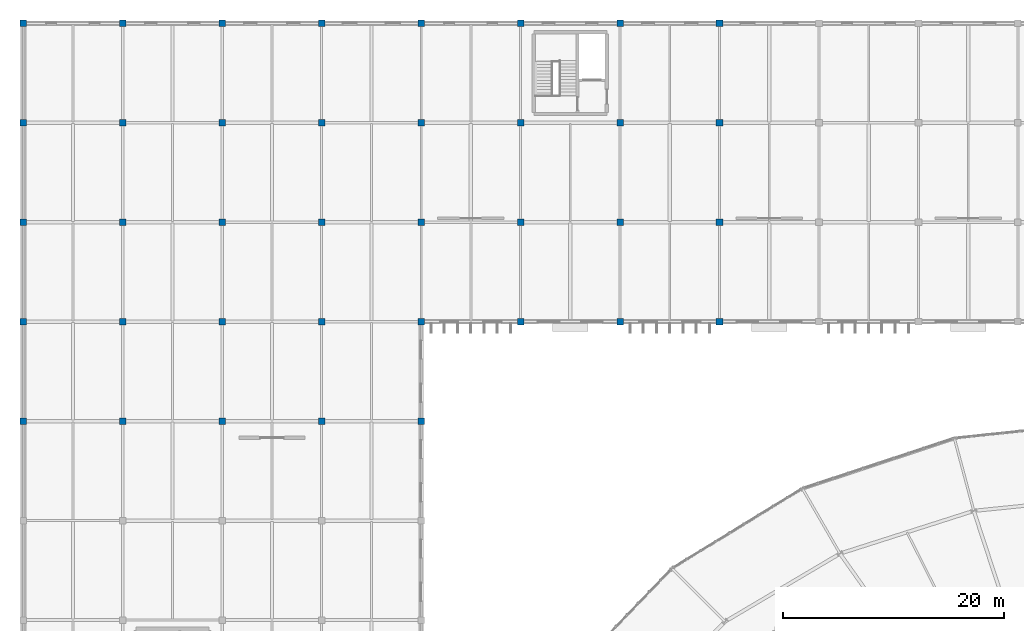
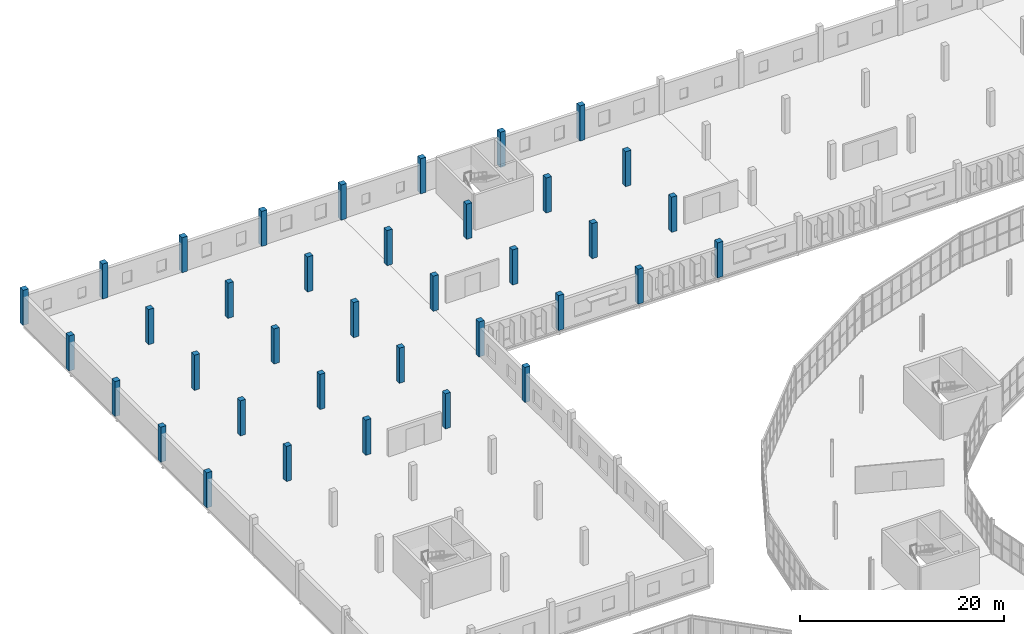
# One storey, part 29 of 161: 37 columns.
"""IFC4 building model written with IfcOpenShell, lengths in metres."""

from ifc_helpers import new_model, si_unit, direction, frame, origin, origin_2d, place, context, subcontext, project, spatial, rectangle, extrude, material, material_profile, profile_set, type_object, element, save


model = new_model("IFC4")

# Units and contexts
model_context = context("Model", 3, precision=1e-05, world=origin(), true_north=direction((0.0, 1.0)))
body_context = subcontext(model_context, "Body", "Model", "MODEL_VIEW")
ifc_project = project(units=[si_unit("LENGTHUNIT", "METRE"), si_unit("AREAUNIT", "SQUARE_METRE"), si_unit("VOLUMEUNIT", "CUBIC_METRE"), si_unit("PLANEANGLEUNIT", "RADIAN"), si_unit("MASSUNIT", "GRAM", prefix="KILO")], contexts=[model_context])

# Site, building, storey
site_placement = place(None, origin())
site = spatial("IfcSite", under=ifc_project, at=site_placement, CompositionType="ELEMENT")
building_placement = place(site_placement, origin())
building = spatial("IfcBuilding", under=site, at=building_placement, Name="Kildeholm Park Wholesale Market", CompositionType="ELEMENT")
storey_placement = place(building_placement, frame((0.0, 0.0, 5.39990234375)))
storey = spatial("IfcBuildingStorey", under=building, at=storey_placement, Name="L01", CompositionType="ELEMENT", Elevation=5.39990234375)

# Columns
ifc_material = material(Name="Concrete C40/50", Category="concrete")
ifc_material_profile = material_profile(ifc_material, rectangle(XDim=0.60009765625, YDim=0.60009765625, at=origin_2d()), Name="RC 600x600")
ifc_profile_set = profile_set([ifc_material_profile], Name="Concrete C40/50")
column_type = type_object("IfcColumnType", Name="Column C-R02 RC 600x600", PredefinedType="COLUMN", material=ifc_profile_set)
for number, where, z_axis, x_axis, name in (
    (1, (0.0, 135.0, 0.0), (0.0, 0.0, 1.0), (1.0, 0.0, 0.0), "Column V4-000-135 L01 COL-0342"),
    (2, (0.0, 144.0, 0.0), (0.0, 0.0, 1.0), (1.0, 0.0, 0.0), "Column V4-000-144 L01 COL-0345"),
    (3, (0.0, 153.0, 0.0), (0.0, 0.0, 1.0), (1.0, 0.0, 0.0), "Column V4-000-153 L01 COL-0348"),
    (4, (0.0, 162.0, 0.0), (0.0, 0.0, 1.0), (1.0, 0.0, 0.0), "Column V4-000-162 L01 COL-0351"),
    (5, (0.0, 171.0, 0.0), (0.0, 0.0, 1.0), (1.0, 0.0, 0.0), "Column V4-000-171 L01 COL-0354"),
    (6, (9.0, 135.0, 0.0), (0.0, 0.0, 1.0), (1.0, 0.0, 0.0), "Column V4-009-135 L01 COL-0369"),
    (7, (9.0, 144.0, 0.0), (0.0, 0.0, 1.0), (1.0, 0.0, 0.0), "Column V4-009-144 L01 COL-0372"),
    (8, (9.0, 153.0, 0.0), (0.0, 0.0, 1.0), (1.0, 0.0, 0.0), "Column V4-009-153 L01 COL-0375"),
    (9, (9.0, 162.0, 0.0), (0.0, 0.0, 1.0), (1.0, 0.0, 0.0), "Column V4-009-162 L01 COL-0378"),
    (10, (9.0, 171.0, 0.0), (0.0, 0.0, 1.0), (1.0, 0.0, 0.0), "Column V4-009-171 L01 COL-0381"),
    (11, (18.0, 135.0, 0.0), (0.0, 0.0, 1.0), (1.0, 0.0, 0.0), "Column V4-018-135 L01 COL-0396"),
    (12, (18.0, 144.0, 0.0), (0.0, 0.0, 1.0), (1.0, 0.0, 0.0), "Column V4-018-144 L01 COL-0399"),
    (13, (18.0, 153.0, 0.0), (0.0, 0.0, 1.0), (1.0, 0.0, 0.0), "Column V4-018-153 L01 COL-0402"),
    (14, (18.0, 162.0, 0.0), (0.0, 0.0, 1.0), (1.0, 0.0, 0.0), "Column V4-018-162 L01 COL-0405"),
    (15, (18.0, 171.0, 0.0), (0.0, 0.0, 1.0), (1.0, 0.0, 0.0), "Column V4-018-171 L01 COL-0408"),
    (16, (27.0, 135.0, 0.0), (0.0, 0.0, 1.0), (1.0, 0.0, 0.0), "Column V4-027-135 L01 COL-0423"),
    (17, (27.0, 144.0, 0.0), (0.0, 0.0, 1.0), (1.0, 0.0, 0.0), "Column V4-027-144 L01 COL-0426"),
    (18, (27.0, 153.0, 0.0), (0.0, 0.0, 1.0), (1.0, 0.0, 0.0), "Column V4-027-153 L01 COL-0429"),
    (19, (27.0, 162.0, 0.0), (0.0, 0.0, 1.0), (1.0, 0.0, 0.0), "Column V4-027-162 L01 COL-0432"),
    (20, (27.0, 171.0, 0.0), (0.0, 0.0, 1.0), (1.0, 0.0, 0.0), "Column V4-027-171 L01 COL-0435"),
    (21, (36.0, 135.0, 0.0), (0.0, 0.0, 1.0), (1.0, 0.0, 0.0), "Column V4-036-135 L01 COL-0450"),
    (22, (36.0, 144.0, 0.0), (0.0, 0.0, 1.0), (1.0, 0.0, 0.0), "Column V4-036-144 L01 COL-0453"),
    (23, (36.0, 153.0, 0.0), (0.0, 0.0, 1.0), (1.0, 0.0, 0.0), "Column V4-036-153 L01 COL-0456"),
    (24, (36.0, 162.0, 0.0), (0.0, 0.0, 1.0), (1.0, 0.0, 0.0), "Column V4-036-162 L01 COL-0459"),
    (25, (36.0, 171.0, 0.0), (0.0, 0.0, 1.0), (1.0, 0.0, 0.0), "Column V4-036-171 L01 COL-0462"),
    (26, (45.0, 144.0, 0.0), (0.0, 0.0, 1.0), (1.0, 0.0, 0.0), "Column V4-045-144 L01 COL-0465"),
    (27, (45.0, 153.0, 0.0), (0.0, 0.0, 1.0), (1.0, 0.0, 0.0), "Column V4-045-153 L01 COL-0467"),
    (28, (45.0, 162.0, 0.0), (0.0, 0.0, 1.0), (1.0, 0.0, 0.0), "Column V4-045-162 L01 COL-0470"),
    (29, (45.0, 171.0, 0.0), (0.0, 0.0, 1.0), (1.0, 0.0, 0.0), "Column V4-045-171 L01 COL-0473"),
    (30, (54.0, 144.0, 0.0), (0.0, 0.0, 1.0), (1.0, 0.0, 0.0), "Column V4-054-144 L01 COL-0476"),
    (31, (54.0, 153.0, 0.0), (0.0, 0.0, 1.0), (1.0, 0.0, 0.0), "Column V4-054-153 L01 COL-0478"),
    (32, (54.0, 162.0, 0.0), (0.0, 0.0, 1.0), (1.0, 0.0, 0.0), "Column V4-054-162 L01 COL-0481"),
    (33, (54.0, 171.0, 0.0), (0.0, 0.0, 1.0), (1.0, 0.0, 0.0), "Column V4-054-171 L01 COL-0484"),
    (34, (63.0, 144.0, 0.0), (0.0, 0.0, 1.0), (1.0, 0.0, 0.0), "Column V4-063-144 L01 COL-0487"),
    (35, (63.0, 153.0, 0.0), (0.0, 0.0, 1.0), (1.0, 0.0, 0.0), "Column V4-063-153 L01 COL-0489"),
    (36, (63.0, 162.0, 0.0), (0.0, 0.0, 1.0), (1.0, 0.0, 0.0), "Column V4-063-162 L01 COL-0492"),
    (37, (63.0, 171.0, 0.0), (0.0, 0.0, 1.0), (1.0, 0.0, 0.0), "Column V4-063-171 L01 COL-0495"),
):
    element("IfcColumn", number, at=place(storey_placement, frame(where, z_axis=z_axis, x_axis=x_axis)), inside=storey, type_object=column_type, Name=name, PredefinedType="COLUMN", context=body_context, shape_type="SweptSolid", body=[
        extrude(rectangle(XDim=0.60009765625, YDim=0.60009765625, at=origin_2d()), origin(), (0.0, 0.0, 1.0), 4.2001953125),
    ])

save(model, "model.ifc")
